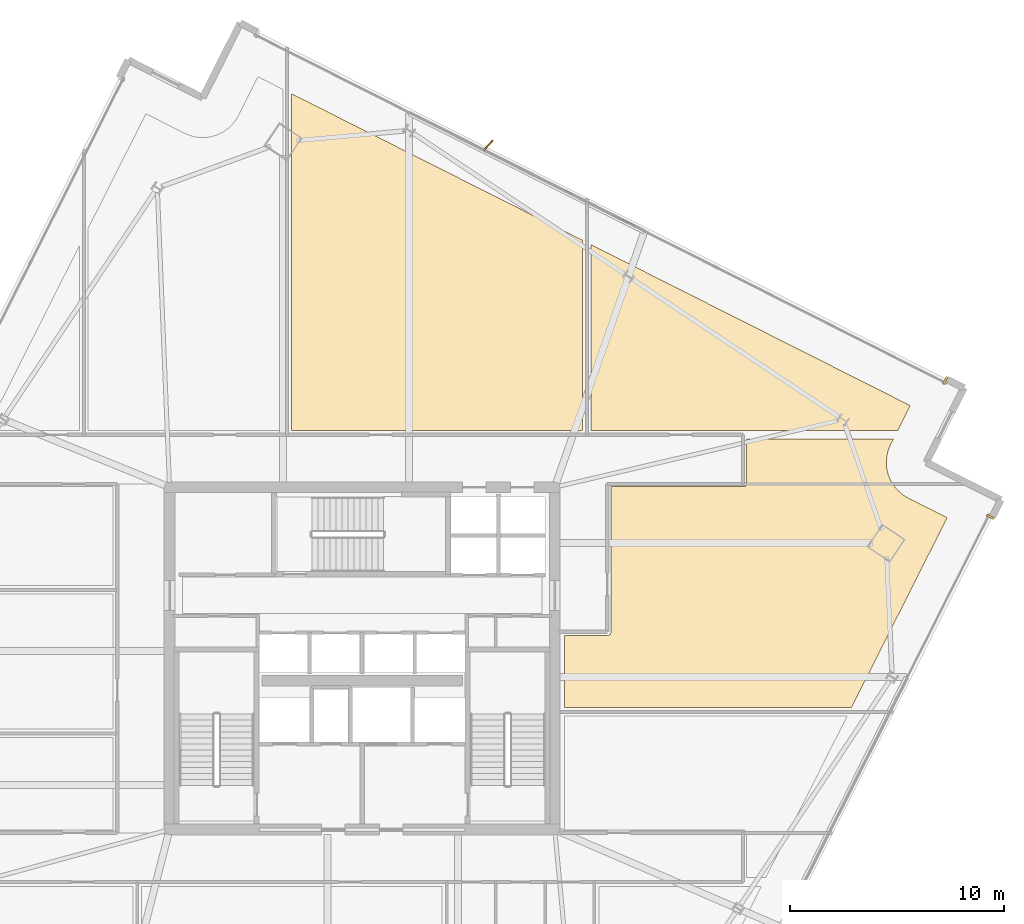
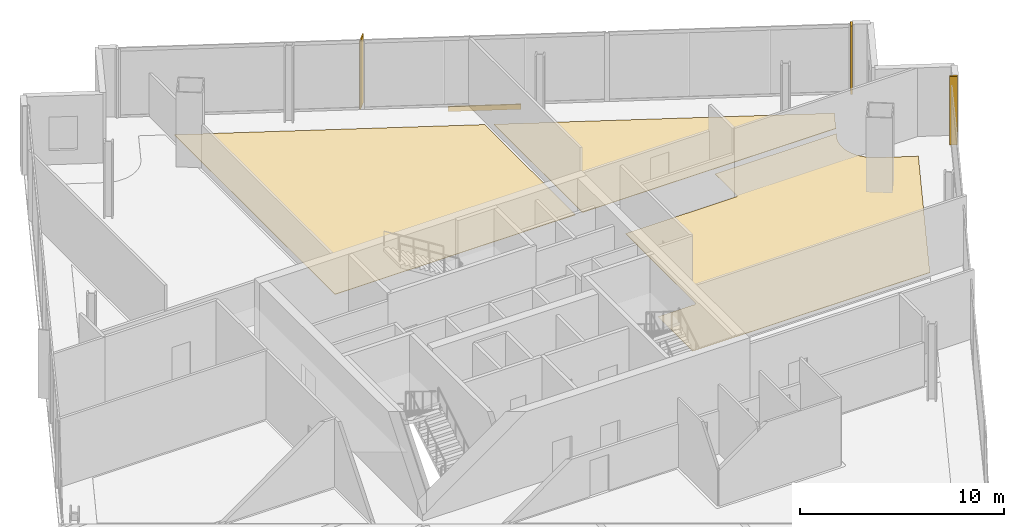
# One storey, part 27 of 27: 6 coverings, 1 shading device.
"""IFC4 building model written with IfcOpenShell, lengths in metres."""

from ifc_helpers import new_model, si_unit, direction, frame, origin, origin_2d, place, context, subcontext, project, spatial, polyline, rectangle, outline, extrude, source, transform, mapped, material, layer, layer_set, type_object, element, save


model = new_model("IFC4")

# Units and contexts
model_context = context("Model", 3, precision=1e-05, world=origin(), true_north=direction((0.0, 1.0)))
body_context = subcontext(model_context, "Body", "Model", "MODEL_VIEW")
ifc_project = project(units=[si_unit("LENGTHUNIT", "METRE"), si_unit("AREAUNIT", "SQUARE_METRE"), si_unit("VOLUMEUNIT", "CUBIC_METRE"), si_unit("PLANEANGLEUNIT", "RADIAN"), si_unit("MASSUNIT", "GRAM", prefix="KILO")], contexts=[model_context])

# Site, building, storey
site_placement = place(None, origin())
site = spatial("IfcSite", under=ifc_project, at=site_placement, CompositionType="ELEMENT")
building_placement = place(site_placement, origin())
building = spatial("IfcBuilding", under=site, at=building_placement, Name="Haldenkirk Collegiate Tower", CompositionType="ELEMENT")
storey_placement = place(building_placement, frame((0.0, 0.0, 239.699951171875)))
storey = spatial("IfcBuildingStorey", under=building, at=storey_placement, Name="L60", CompositionType="ELEMENT", Elevation=239.699951171875)

# Coverings
ifc_material_1 = material(Name="Polished collegiate terrazzo", Category="concrete")
ifc_layer_1 = layer(ifc_material_1, 0.02490234375)
ifc_layer_set_1 = layer_set([ifc_layer_1], Name="Polished collegiate terrazzo")
covering_type_1 = type_object("IfcCoveringType", Name="COV-FLOOR-TERRAZZO", PredefinedType="FLOORING", material=ifc_layer_set_1)
covering_1_placement = place(storey_placement, origin())
element("IfcCovering", 1, at=covering_1_placement, inside=storey, type_object=covering_type_1, Name="L60 academic room finish 06", PredefinedType="FLOORING", context=body_context, shape_type="SweptSolid", body=[
    extrude(outline(polyline([(61.614501953125, 37.815673828125), (61.027099609375, 36.64990234375), (46.699951171875, 36.64990234375), (46.699951171875, 45.3330078125), (61.614501953125, 37.815673828125)])), origin(), (0.0, 0.0, 1.0), 0.025146484375),
])
ifc_material_2 = material(Name="Engineered collegiate oak acoustic flooring", Category="wood")
ifc_layer_2 = layer(ifc_material_2, 0.02197265625)
ifc_layer_set_2 = layer_set([ifc_layer_2], Name="Engineered collegiate oak acoustic flooring")
covering_type_2 = type_object("IfcCoveringType", Name="COV-FLOOR-TIMBER", PredefinedType="FLOORING", material=ifc_layer_set_2)
covering_2_placement = place(storey_placement, origin())
element("IfcCovering", 2, at=covering_2_placement, inside=storey, type_object=covering_type_2, Name="L60 academic room finish 05", PredefinedType="FLOORING", context=body_context, shape_type="SweptSolid", body=[
    extrude(outline(polyline([(46.300048828125, 45.53466796875), (46.300048828125, 36.64990234375), (32.699951171875, 36.64990234375), (32.699951171875, 52.3896484375), (46.300048828125, 45.53466796875)])), origin(), (0.0, 0.0, 1.0), 0.02197265625),
])
covering_3_placement = place(storey_placement, origin())
element("IfcCovering", 3, at=covering_3_placement, inside=storey, type_object=covering_type_2, Name="L60 academic room finish 11", PredefinedType="FLOORING", context=body_context, shape_type="SweptSolid", body=[
    extrude(outline(polyline([(47.5, 27.080078125), (47.51171875, 27.08056640625), (47.5234375, 27.082275390625), (47.534912109375, 27.085205078125), (47.5458984375, 27.089111328125), (47.556640625, 27.09423828125), (47.566650390625, 27.10009765625), (47.576171875, 27.107177734375), (47.5849609375, 27.114990234375), (47.5927734375, 27.123779296875), (47.599853515625, 27.13330078125), (47.605712890625, 27.143310546875), (47.61083984375, 27.154052734375), (47.61474609375, 27.165283203125), (47.61767578125, 27.176513671875), (47.619384765625, 27.188232421875), (47.6201171875, 27.199951171875), (47.6201171875, 34.030029296875), (53.85009765625, 34.030029296875), (53.86181640625, 34.030517578125), (53.873291015625, 34.0322265625), (53.884765625, 34.03515625), (53.89599609375, 34.0390625), (53.906494140625, 34.044189453125), (53.916748046875, 34.05029296875), (53.926025390625, 34.05712890625), (53.934814453125, 34.065185546875), (53.94287109375, 34.073974609375), (53.94970703125, 34.083251953125), (53.955810546875, 34.093505859375), (53.9609375, 34.10400390625), (53.96484375, 34.115234375), (53.9677734375, 34.126708984375), (53.969482421875, 34.13818359375), (53.969970703125, 34.14990234375), (53.969970703125, 36.25), (60.8251953125, 36.25), (60.70068359375, 36.002685546875), (60.6982421875, 35.99755859375), (60.62841796875, 35.840576171875), (60.624267578125, 35.82958984375), (60.5703125, 35.66650390625), (60.567138671875, 35.655029296875), (60.529296875, 35.487548828125), (60.52734375, 35.475830078125), (60.50634765625, 35.305419921875), (60.50537109375, 35.293701171875), (60.501220703125, 35.1220703125), (60.50146484375, 35.1103515625), (60.513916015625, 34.939208984375), (60.515380859375, 34.92724609375), (60.544677734375, 34.758056640625), (60.547119140625, 34.74658203125), (60.593017578125, 34.581298828125), (60.5966796875, 34.570068359375), (60.658203125, 34.40966796875), (60.6630859375, 34.39892578125), (60.740234375, 34.24560546875), (60.74609375, 34.2353515625), (60.837890625, 34.090087890625), (60.8447265625, 34.080322265625), (60.9501953125, 33.945068359375), (60.9580078125, 33.93603515625), (61.076171875, 33.8115234375), (61.084716796875, 33.803466796875), (61.21484375, 33.69140625), (61.22412109375, 33.68408203125), (61.3642578125, 33.585205078125), (61.374267578125, 33.57861328125), (61.523681640625, 33.493896484375), (61.52880859375, 33.4912109375), (63.341552734375, 32.57763671875), (58.866943359375, 23.699951171875), (45.449951171875, 23.699951171875), (45.449951171875, 27.080078125), (47.5, 27.080078125)])), origin(), (0.0, 0.0, 1.0), 0.02197265625),
])
ifc_material_3 = material(Name="Anodised architectural bronze aluminium", Category="aluminium")
ifc_layer_3 = layer(ifc_material_3, 0.06005859375)
ifc_layer_set_3 = layer_set([ifc_layer_3], Name="Anodised architectural bronze aluminium")
covering_type_3 = type_object("IfcCoveringType", Name="COV-CLAD-BRONZE-60", PredefinedType="CLADDING", material=ifc_layer_set_3)
shared_shape_1 = source(origin(), body_context, "Body", "SweptSolid", [
    extrude(rectangle(XDim=3.60009765625, YDim=0.06005859375, at=origin_2d()), origin(), (0.0, 0.0, 1.0), 0.300048828125),
])
covering_4_placement = place(storey_placement, frame((47.13427734375, 47.006591796875, -0.2998046875), z_axis=(0.0, 0.0, 1.0), x_axis=(0.892978943411, -0.450098441037, 0.0)))
element("IfcCovering", 4, at=covering_4_placement, inside=storey, type_object=covering_type_3, Name="L60 architectural bronze spandrel cladding E", PredefinedType="CLADDING", context=body_context, shape_type="MappedRepresentation", body=[
    mapped(shared_shape_1, transform((0.0, 0.0, 0.0), x_axis=(1.0, 0.0, 0.0), y_axis=(0.0, 1.0, 0.0), z_axis=(0.0, 0.0, 1.0), scale=1.0)),
])
shared_shape_2 = source(origin(), body_context, "Body", "SweptSolid", [
    extrude(rectangle(XDim=0.10009765625, YDim=0.3798828125, at=origin_2d()), origin(), (0.0, 0.0, 1.0), 4.10009765625),
])
for number, where, z_axis, x_axis, name in (
    (5, (65.354248046875, 32.61572265625, 0.0), (0.0, 0.0, 1.0), (-0.450098441037, -0.892978943411, 0.0), "L60 recessed curtain-wall bronze jamb closure SJL"),
    (6, (63.2548828125, 38.98193359375, 0.0), (0.0, 0.0, 1.0), (0.892978943411, -0.450098441037, 0.0), "L60 recessed curtain-wall bronze jamb closure EJR"),
):
    element("IfcCovering", number, at=place(storey_placement, frame(where, z_axis=z_axis, x_axis=x_axis)), inside=storey, type_object=covering_type_3, Name=name, PredefinedType="CLADDING", context=body_context, shape_type="MappedRepresentation", body=[
        mapped(shared_shape_2, transform((0.0, 0.0, 0.0), x_axis=(1.0, 0.0, 0.0), y_axis=(0.0, 1.0, 0.0), z_axis=(0.0, 0.0, 1.0), scale=1.0)),
    ])

# Shading device
ifc_layer_4 = layer(ifc_material_3, 0.06494140625)
ifc_layer_set_4 = layer_set([ifc_layer_4], Name="Anodised architectural bronze aluminium")
shading_device_type = type_object("IfcShadingDeviceType", Name="SHD-FIN-BRONZE-620", PredefinedType="USERDEFINED", material=ifc_layer_set_4)
shared_shape_3 = source(origin(), body_context, "Body", "SweptSolid", [
    extrude(rectangle(XDim=0.6201171875, YDim=0.06494140625, at=origin_2d()), origin(), (0.0, 0.0, 1.0), 4.10009765625),
])
shading_device_placement = place(storey_placement, frame((41.89794921875, 49.976318359375, 0.0), z_axis=(0.0, 0.0, 1.0), x_axis=(0.678800745533, 0.734322509436, 0.0)))
element("IfcShadingDevice", 7, at=shading_device_placement, inside=storey, type_object=shading_device_type, Name="L60 folded bronze solar fin 1", ObjectType="FIN", PredefinedType="USERDEFINED", context=body_context, shape_type="MappedRepresentation", body=[
    mapped(shared_shape_3, transform((0.0, 0.0, 0.0), x_axis=(1.0, 0.0, 0.0), y_axis=(0.0, 1.0, 0.0), z_axis=(0.0, 0.0, 1.0), scale=1.0)),
])

save(model, "model.ifc")
